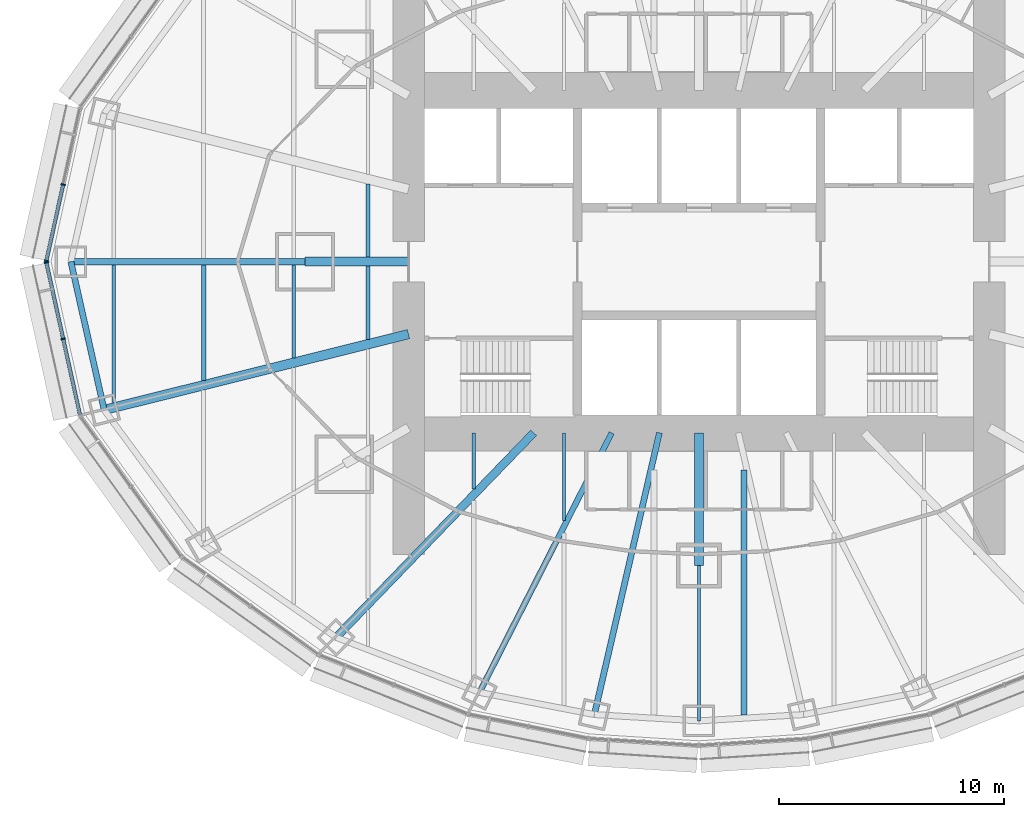
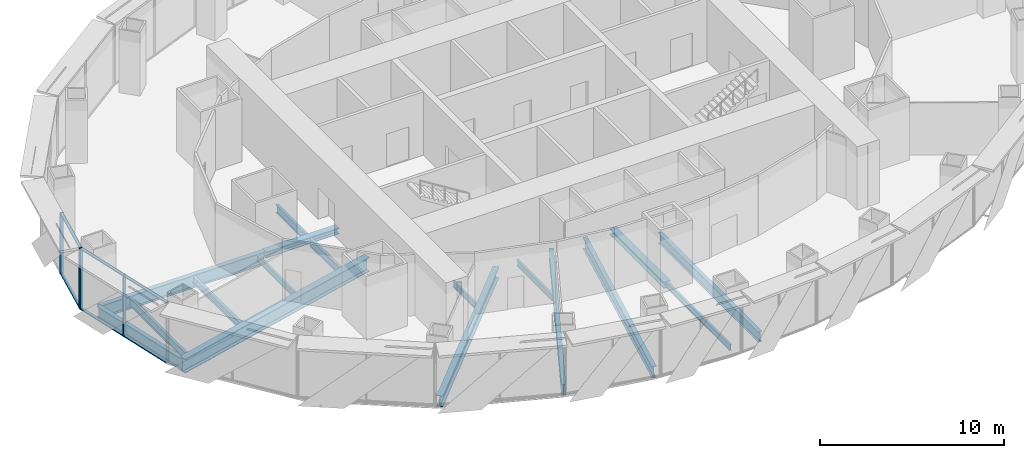
# One storey, part 3 of 17: 17 beams, 10 members, 2 elements without a shape of their own.
"""IFC4 building model written with IfcOpenShell, lengths in metres."""

from ifc_helpers import new_model, si_unit, direction, frame, origin, origin_2d, place, context, subcontext, project, spatial, rectangle, i_section, extrude, material, material_profile, profile_set, type_object, element, aggregate, save


model = new_model("IFC4")

# Units and contexts
model_context = context("Model", 3, precision=1e-05, world=origin(), true_north=direction((0.0, 1.0)))
body_context = subcontext(model_context, "Body", "Model", "MODEL_VIEW")
ifc_project = project(units=[si_unit("LENGTHUNIT", "METRE"), si_unit("AREAUNIT", "SQUARE_METRE"), si_unit("VOLUMEUNIT", "CUBIC_METRE"), si_unit("PLANEANGLEUNIT", "RADIAN"), si_unit("MASSUNIT", "GRAM", prefix="KILO")], contexts=[model_context])

# Site, building, storey
site_placement = place(None, origin())
site = spatial("IfcSite", under=ifc_project, at=site_placement, CompositionType="ELEMENT")
building_placement = place(site_placement, origin())
building = spatial("IfcBuilding", under=site, at=building_placement, Name="Lantaw Convention Tower", CompositionType="ELEMENT")
storey_placement = place(building_placement, frame((0.0, 0.0, 151.0)))
storey = spatial("IfcBuildingStorey", under=building, at=storey_placement, Name="L35", CompositionType="ELEMENT", Elevation=151.0)

# Beams
ifc_material_1 = material(Name="Steel ASTM A992", Category="steel")
ifc_material_profile_1 = material_profile(ifc_material_1, i_section(OverallWidth=0.2666015625, OverallDepth=0.76953125, WebThickness=0.015625, FlangeThickness=0.025390625, FilletRadius=0.0126953125, at=origin_2d()), Name="W30X132")
ifc_profile_set_1 = profile_set([ifc_material_profile_1], Name="Steel ASTM A992")
beam_type_1 = type_object("IfcBeamType", Name="Beam E W30X132", PredefinedType="SPANDREL", material=ifc_profile_set_1)
beam_1_placement = place(storey_placement, frame((-27.89990234375, 0.0, -0.534912109375), z_axis=(0.219211877447, -0.975677279015, 0.0), x_axis=(0.975677279015, 0.219211877447, 0.0)))
element("IfcBeam", 1, at=beam_1_placement, inside=storey, type_object=beam_type_1, Name="Edge beam 13", PredefinedType="SPANDREL", context=body_context, shape_type="SweptSolid", body=[
    extrude(i_section(OverallWidth=0.2666015625, OverallDepth=0.76953125, WebThickness=0.015625, FlangeThickness=0.025390625, FilletRadius=0.0126953125, at=origin_2d()), origin(), (0.0, 0.0, 1.0), 6.75146484375),
])
ifc_material_profile_2 = material_profile(ifc_material_1, i_section(OverallWidth=0.140380859375, OverallDepth=0.40380859375, WebThickness=0.007080078125, FlangeThickness=0.01123046875, FilletRadius=0.01025390625, at=origin_2d()), Name="W16X31")
ifc_profile_set_2 = profile_set([ifc_material_profile_2], Name="Steel ASTM A992")
beam_type_2 = type_object("IfcBeamType", Name="Beam G W16X31", PredefinedType="BEAM", material=ifc_profile_set_2)
beam_2_placement = place(storey_placement, frame((0.0, -13.5, -0.35205078125), z_axis=(0.0, -1.0, 0.0), x_axis=(1.0, 0.0, 0.0)))
element("IfcBeam", 2, at=beam_2_placement, inside=storey, type_object=beam_type_2, Name="Floor girder on ray 19", PredefinedType="BEAM", context=body_context, shape_type="SweptSolid", body=[
    extrude(i_section(OverallWidth=0.140380859375, OverallDepth=0.40380859375, WebThickness=0.007080078125, FlangeThickness=0.01123046875, FilletRadius=0.01025390625, at=origin_2d()), origin(), (0.0, 0.0, 1.0), 6.89990234375),
])
ifc_material_profile_3 = material_profile(ifc_material_1, i_section(OverallWidth=0.25390625, OverallDepth=0.700927734375, WebThickness=0.015380859375, FlangeThickness=0.02783203125, FilletRadius=0.01513671875, at=origin_2d()), Name="W27X129")
ifc_profile_set_3 = profile_set([ifc_material_profile_3], Name="Steel ASTM A992")
beam_type_3 = type_object("IfcBeamType", Name="Beam G W27X129", PredefinedType="BEAM", material=ifc_profile_set_3)
beam_3_placement = place(storey_placement, frame((-3.872314453125, -7.60009765625, -0.50048828125), z_axis=(-0.453991051051, -0.891006243281, 0.0), x_axis=(0.891006243281, -0.453991051051, 0.0)))
element("IfcBeam", 3, at=beam_3_placement, inside=storey, type_object=beam_type_3, Name="Floor girder on ray 17", PredefinedType="BEAM", context=body_context, shape_type="SweptSolid", body=[
    extrude(i_section(OverallWidth=0.25390625, OverallDepth=0.700927734375, WebThickness=0.015380859375, FlangeThickness=0.02783203125, FilletRadius=0.01513671875, at=origin_2d()), origin(), (0.0, 0.0, 1.0), 12.943359375),
])
ifc_material_profile_4 = material_profile(ifc_material_1, i_section(OverallWidth=0.360595703125, OverallDepth=0.72900390625, WebThickness=0.023193359375, FlangeThickness=0.041015625, FilletRadius=0.0126953125, at=origin_2d()), Name="W27X235")
ifc_profile_set_4 = profile_set([ifc_material_profile_4], Name="Steel ASTM A992")
beam_type_4 = type_object("IfcBeamType", Name="Beam G W27X235", PredefinedType="BEAM", material=ifc_profile_set_4)
beam_4_placement = place(storey_placement, frame((-7.33935546875, -7.60009765625, -0.514404296875), z_axis=(-0.694663467407, -0.719334878239, 0.0), x_axis=(0.719334878239, -0.694663467407, 0.0)))
element("IfcBeam", 4, at=beam_4_placement, inside=storey, type_object=beam_type_4, Name="Floor girder on ray 16", PredefinedType="BEAM", context=body_context, shape_type="SweptSolid", body=[
    extrude(i_section(OverallWidth=0.360595703125, OverallDepth=0.72900390625, WebThickness=0.023193359375, FlangeThickness=0.041015625, FilletRadius=0.0126953125, at=origin_2d()), origin(), (0.0, 0.0, 1.0), 12.63671875),
])
ifc_material_profile_5 = material_profile(ifc_material_1, i_section(OverallWidth=0.2666015625, OverallDepth=0.7568359375, WebThickness=0.013916015625, FlangeThickness=0.019287109375, FilletRadius=0.0126953125, at=origin_2d()), Name="W30X108")
ifc_profile_set_5 = profile_set([ifc_material_profile_5], Name="Steel ASTM A992")
beam_type_5 = type_object("IfcBeamType", Name="Beam G W30X108", PredefinedType="BEAM", material=ifc_profile_set_5)
beam_5_placement = place(storey_placement, frame((-1.754638671875, -7.60009765625, -0.528564453125), z_axis=(-0.224944153104, -0.974371658036, 0.0), x_axis=(0.974371658036, -0.224944153104, 0.0)))
element("IfcBeam", 5, at=beam_5_placement, inside=storey, type_object=beam_type_5, Name="Floor girder on ray 18", PredefinedType="BEAM", context=body_context, shape_type="SweptSolid", body=[
    extrude(i_section(OverallWidth=0.2666015625, OverallDepth=0.7568359375, WebThickness=0.013916015625, FlangeThickness=0.019287109375, FilletRadius=0.0126953125, at=origin_2d()), origin(), (0.0, 0.0, 1.0), 12.849365234375),
])
ifc_material_profile_6 = material_profile(ifc_material_1, i_section(OverallWidth=0.2919921875, OverallDepth=0.845703125, WebThickness=0.015380859375, FlangeThickness=0.0244140625, FilletRadius=0.01513671875, at=origin_2d()), Name="W33X141")
ifc_profile_set_6 = profile_set([ifc_material_profile_6], Name="Steel ASTM A992")
beam_type_6 = type_object("IfcBeamType", Name="Beam G W33X141", PredefinedType="BEAM", material=ifc_profile_set_6)
beam_6_placement = place(storey_placement, frame((-17.5, 0.0, -0.572998046875), z_axis=(-1.0, 0.0, 0.0), x_axis=(0.0, -1.0, 0.0)))
element("IfcBeam", 6, at=beam_6_placement, inside=storey, type_object=beam_type_6, Name="Floor girder on ray 13", PredefinedType="BEAM", context=body_context, shape_type="SweptSolid", body=[
    extrude(i_section(OverallWidth=0.2919921875, OverallDepth=0.845703125, WebThickness=0.015380859375, FlangeThickness=0.0244140625, FilletRadius=0.01513671875, at=origin_2d()), origin(), (0.0, 0.0, 1.0), 10.39990234375),
])
ifc_material_profile_7 = material_profile(ifc_material_1, i_section(OverallWidth=0.421630859375, OverallDepth=0.937255859375, WebThickness=0.0224609375, FlangeThickness=0.039794921875, FilletRadius=0.02001953125, at=origin_2d()), Name="W36X282")
ifc_profile_set_7 = profile_set([ifc_material_profile_7], Name="Steel ASTM A992")
beam_type_7 = type_object("IfcBeamType", Name="Beam G W36X282", PredefinedType="BEAM", material=ifc_profile_set_7)
beam_7_placement = place(storey_placement, frame((-12.89990234375, -3.21630859375, -0.61865234375), z_axis=(-0.970296903132, -0.24191717544, 0.0), x_axis=(0.24191717544, -0.970296903132, 0.0)))
element("IfcBeam", 7, at=beam_7_placement, inside=storey, type_object=beam_type_7, Name="Floor girder on ray 14", PredefinedType="BEAM", context=body_context, shape_type="SweptSolid", body=[
    extrude(i_section(OverallWidth=0.421630859375, OverallDepth=0.937255859375, WebThickness=0.0224609375, FlangeThickness=0.039794921875, FilletRadius=0.02001953125, at=origin_2d()), origin(), (0.0, 0.0, 1.0), 13.933837890625),
])
ifc_material_profile_8 = material_profile(ifc_material_1, i_section(OverallWidth=0.40380859375, OverallDepth=0.406494140625, WebThickness=0.027099609375, FlangeThickness=0.043701171875, FilletRadius=0.01513671875, at=origin_2d()), Name="W14X233")
ifc_profile_set_8 = profile_set([ifc_material_profile_8], Name="Steel ASTM A992")
beam_type_8 = type_object("IfcBeamType", Name="Beam GM W14X233", PredefinedType="BEAM", material=ifc_profile_set_8)
beam_8_placement = place(storey_placement, frame((-12.89990234375, 0.0, -0.353271484375), z_axis=(-1.0, 0.0, 0.0), x_axis=(0.0, -1.0, 0.0)))
element("IfcBeam", 8, at=beam_8_placement, inside=storey, type_object=beam_type_8, Name="Core link beam on ray 13", PredefinedType="BEAM", context=body_context, shape_type="SweptSolid", body=[
    extrude(i_section(OverallWidth=0.40380859375, OverallDepth=0.406494140625, WebThickness=0.027099609375, FlangeThickness=0.043701171875, FilletRadius=0.01513671875, at=origin_2d()), origin(), (0.0, 0.0, 1.0), 4.60009765625),
])
beam_9_placement = place(storey_placement, frame((0.0, -7.60009765625, -0.353271484375), z_axis=(0.0, -1.0, 0.0), x_axis=(1.0, 0.0, 0.0)))
element("IfcBeam", 9, at=beam_9_placement, inside=storey, type_object=beam_type_8, Name="Core link beam on ray 19", PredefinedType="BEAM", context=body_context, shape_type="SweptSolid", body=[
    extrude(i_section(OverallWidth=0.40380859375, OverallDepth=0.406494140625, WebThickness=0.027099609375, FlangeThickness=0.043701171875, FilletRadius=0.01513671875, at=origin_2d()), origin(), (0.0, 0.0, 1.0), 5.89990234375),
])
ifc_material_profile_9 = material_profile(ifc_material_1, i_section(OverallWidth=0.140380859375, OverallDepth=0.40380859375, WebThickness=0.007080078125, FlangeThickness=0.01123046875, FilletRadius=0.01025390625, at=origin_2d()), Name="W16X31")
ifc_profile_set_9 = profile_set([ifc_material_profile_9], Name="Steel ASTM A992")
beam_type_9 = type_object("IfcBeamType", Name="Beam J W16X31", PredefinedType="JOIST", material=ifc_profile_set_9)
beam_10_placement = place(storey_placement, frame((-18.0, -4.270751953125, -0.35205078125), z_axis=(0.0, 1.0, 0.0), x_axis=(-1.0, 0.0, 0.0)))
element("IfcBeam", 10, at=beam_10_placement, inside=storey, type_object=beam_type_9, Name="Floor joist", PredefinedType="JOIST", context=body_context, shape_type="SweptSolid", body=[
    extrude(i_section(OverallWidth=0.140380859375, OverallDepth=0.40380859375, WebThickness=0.007080078125, FlangeThickness=0.01123046875, FilletRadius=0.01025390625, at=origin_2d()), origin(), (0.0, 0.0, 1.0), 4.124755859375),
])
beam_11_placement = place(storey_placement, frame((-10.0, -10.095703125, -0.35205078125), z_axis=(0.0, 1.0, 0.0), x_axis=(-1.0, 0.0, 0.0)))
element("IfcBeam", 11, at=beam_11_placement, inside=storey, type_object=beam_type_9, Name="Floor joist", PredefinedType="JOIST", context=body_context, shape_type="SweptSolid", body=[
    extrude(i_section(OverallWidth=0.140380859375, OverallDepth=0.40380859375, WebThickness=0.007080078125, FlangeThickness=0.01123046875, FilletRadius=0.01025390625, at=origin_2d()), origin(), (0.0, 0.0, 1.0), 2.49560546875),
])
beam_12_placement = place(storey_placement, frame((-6.0, -11.495849609375, -0.35205078125), z_axis=(0.0, 1.0, 0.0), x_axis=(-1.0, 0.0, 0.0)))
element("IfcBeam", 12, at=beam_12_placement, inside=storey, type_object=beam_type_9, Name="Floor joist", PredefinedType="JOIST", context=body_context, shape_type="SweptSolid", body=[
    extrude(i_section(OverallWidth=0.140380859375, OverallDepth=0.40380859375, WebThickness=0.007080078125, FlangeThickness=0.01123046875, FilletRadius=0.01025390625, at=origin_2d()), origin(), (0.0, 0.0, 1.0), 3.895751953125),
])
ifc_material_profile_10 = material_profile(ifc_material_1, i_section(OverallWidth=0.1904296875, OverallDepth=0.457275390625, WebThickness=0.009033203125, FlangeThickness=0.014404296875, FilletRadius=0.01025390625, at=origin_2d()), Name="W18X50")
ifc_profile_set_10 = profile_set([ifc_material_profile_10], Name="Steel ASTM A992")
beam_type_10 = type_object("IfcBeamType", Name="Beam J W18X50", PredefinedType="JOIST", material=ifc_profile_set_10)
beam_13_placement = place(storey_placement, frame((-22.0, -5.267822265625, -0.378662109375), z_axis=(0.0, 1.0, 0.0), x_axis=(-1.0, 0.0, 0.0)))
element("IfcBeam", 13, at=beam_13_placement, inside=storey, type_object=beam_type_10, Name="Floor joist", PredefinedType="JOIST", context=body_context, shape_type="SweptSolid", body=[
    extrude(i_section(OverallWidth=0.1904296875, OverallDepth=0.457275390625, WebThickness=0.009033203125, FlangeThickness=0.014404296875, FilletRadius=0.01025390625, at=origin_2d()), origin(), (0.0, 0.0, 1.0), 5.121826171875),
])
ifc_material_profile_11 = material_profile(ifc_material_1, i_section(OverallWidth=0.1650390625, OverallDepth=0.52587890625, WebThickness=0.0087890625, FlangeThickness=0.011474609375, FilletRadius=0.0126953125, at=origin_2d()), Name="W21X44")
ifc_profile_set_11 = profile_set([ifc_material_profile_11], Name="Steel ASTM A992")
beam_type_11 = type_object("IfcBeamType", Name="Beam J W21X44", PredefinedType="JOIST", material=ifc_profile_set_11)
beam_14_placement = place(storey_placement, frame((-26.0, -6.26513671875, -0.412841796875), z_axis=(0.0, 1.0, 0.0), x_axis=(-1.0, 0.0, 0.0)))
element("IfcBeam", 14, at=beam_14_placement, inside=storey, type_object=beam_type_11, Name="Floor joist", PredefinedType="JOIST", context=body_context, shape_type="SweptSolid", body=[
    extrude(i_section(OverallWidth=0.1650390625, OverallDepth=0.52587890625, WebThickness=0.0087890625, FlangeThickness=0.011474609375, FilletRadius=0.0126953125, at=origin_2d()), origin(), (0.0, 0.0, 1.0), 6.119140625),
])
ifc_material_profile_12 = material_profile(ifc_material_1, i_section(OverallWidth=0.165771484375, OverallDepth=0.5283203125, WebThickness=0.009765625, FlangeThickness=0.013671875, FilletRadius=0.012939453125, at=origin_2d()), Name="W21X50")
ifc_profile_set_12 = profile_set([ifc_material_profile_12], Name="Steel ASTM A992")
beam_type_12 = type_object("IfcBeamType", Name="Beam J W21X50", PredefinedType="JOIST", material=ifc_profile_set_12)
for number, where, z_axis, x_axis, name in (
    (15, (-14.699951171875, -3.44775390625, -0.4140625), (0.0, 1.0, 0.0), (-1.0, 0.0, 0.0), "Floor joist"),
    (16, (-14.699951171875, 0.201904296875, -0.4140625), (0.0, 1.0, 0.0), (-1.0, 0.0, 0.0), "Floor joist"),
):
    element("IfcBeam", number, at=place(storey_placement, frame(where, z_axis=z_axis, x_axis=x_axis)), inside=storey, type_object=beam_type_12, Name=name, PredefinedType="JOIST", context=body_context, shape_type="SweptSolid", body=[
        extrude(i_section(OverallWidth=0.165771484375, OverallDepth=0.5283203125, WebThickness=0.009765625, FlangeThickness=0.013671875, FilletRadius=0.012939453125, at=origin_2d()), origin(), (0.0, 0.0, 1.0), 3.245849609375),
    ])
ifc_material_profile_13 = material_profile(ifc_material_1, i_section(OverallWidth=0.25390625, OverallDepth=0.683349609375, WebThickness=0.012451171875, FlangeThickness=0.01904296875, FilletRadius=0.01513671875, at=origin_2d()), Name="W27X94")
ifc_profile_set_13 = profile_set([ifc_material_profile_13], Name="Steel ASTM A992")
beam_type_13 = type_object("IfcBeamType", Name="Beam J W27X94", PredefinedType="JOIST", material=ifc_profile_set_13)
beam_15_placement = place(storey_placement, frame((2.0, -20.145751953125, -0.49169921875), z_axis=(0.0, 1.0, 0.0), x_axis=(-1.0, 0.0, 0.0)))
element("IfcBeam", 17, at=beam_15_placement, inside=storey, type_object=beam_type_13, Name="Floor joist", PredefinedType="JOIST", context=body_context, shape_type="SweptSolid", body=[
    extrude(i_section(OverallWidth=0.25390625, OverallDepth=0.683349609375, WebThickness=0.012451171875, FlangeThickness=0.01904296875, FilletRadius=0.01513671875, at=origin_2d()), origin(), (0.0, 0.0, 1.0), 10.889892578125),
])

# Curtain wall, members
ifc_material_2 = material(Name="Aluminium framed curtain wall", Category="aluminium")
curtain_wall_type = type_object("IfcCurtainWallType", Name="Office curtain wall low rise, pale aluminium", PredefinedType="USERDEFINED", material=ifc_material_2)
curtain_wall_1_placement = place(storey_placement, origin())
curtain_wall_1 = element("IfcCurtainWall", 18, at=curtain_wall_1_placement, inside=storey, type_object=curtain_wall_type, Name="Office curtain wall low rise, pale aluminium L35", ObjectType="UNITISED CURTAIN WALL", PredefinedType="USERDEFINED")
ifc_material_3 = material(Name="Aluminium 6063-T6", Category="aluminium")
ifc_material_profile_14 = material_profile(ifc_material_3, rectangle(XDim=0.199951171875, YDim=0.06494140625, at=origin_2d()), Name="CW-O1 mullion 65x200")
ifc_profile_set_14 = profile_set([ifc_material_profile_14], Name="Aluminium 6063-T6")
member_type_1 = type_object("IfcMemberType", Name="CW-O1 mullion 65x200", PredefinedType="MULLION", material=ifc_profile_set_14)
member_1_placement = place(storey_placement, frame((-28.24365234375, 3.4267578125, 0.0), z_axis=(0.0, 0.0, 1.0), x_axis=(0.9764936509, -0.215546166174, 0.0)))
member_1 = element("IfcMember", 19, at=member_1_placement, type_object=member_type_1, Name="CW-O1 mullion 2", PredefinedType="MULLION", context=body_context, shape_type="SweptSolid", body=[
    extrude(rectangle(XDim=0.199951171875, YDim=0.06494140625, at=origin_2d()), origin(), (0.0, 0.0, 1.0), 4.050048828125),
])
member_2_placement = place(storey_placement, frame((-28.992919921875, 0.03173828125, 0.0), z_axis=(0.0, 0.0, 1.0), x_axis=(0.9764936509, -0.215546166174, 0.0)))
member_2 = element("IfcMember", 20, at=member_2_placement, type_object=member_type_1, Name="CW-O1 mullion 3", PredefinedType="MULLION", context=body_context, shape_type="SweptSolid", body=[
    extrude(rectangle(XDim=0.199951171875, YDim=0.06494140625, at=origin_2d()), origin(), (0.0, 0.0, 1.0), 4.050048828125),
])

curtain_wall_2_placement = place(storey_placement, origin())
curtain_wall_2 = element("IfcCurtainWall", 21, at=curtain_wall_2_placement, inside=storey, type_object=curtain_wall_type, Name="Office curtain wall low rise, pale aluminium L35", ObjectType="UNITISED CURTAIN WALL", PredefinedType="USERDEFINED")
member_3_placement = place(storey_placement, frame((-28.992919921875, -0.03173828125, 0.0), z_axis=(0.0, 0.0, 1.0), x_axis=(0.9764936509, 0.215546166174, 0.0)))
member_3 = element("IfcMember", 22, at=member_3_placement, type_object=member_type_1, Name="CW-O1 mullion 1", PredefinedType="MULLION", context=body_context, shape_type="SweptSolid", body=[
    extrude(rectangle(XDim=0.199951171875, YDim=0.06494140625, at=origin_2d()), origin(), (0.0, 0.0, 1.0), 4.050048828125),
])
member_4_placement = place(storey_placement, frame((-28.24365234375, -3.4267578125, 0.0), z_axis=(0.0, 0.0, 1.0), x_axis=(0.9764936509, 0.215546166174, 0.0)))
member_4 = element("IfcMember", 23, at=member_4_placement, type_object=member_type_1, Name="CW-O1 mullion 2", PredefinedType="MULLION", context=body_context, shape_type="SweptSolid", body=[
    extrude(rectangle(XDim=0.199951171875, YDim=0.06494140625, at=origin_2d()), origin(), (0.0, 0.0, 1.0), 4.050048828125),
])

# Member
ifc_material_profile_15 = material_profile(ifc_material_3, rectangle(XDim=0.159912109375, YDim=0.06494140625, at=origin_2d()), Name="CW-O1 transom 65x160")
ifc_profile_set_15 = profile_set([ifc_material_profile_15], Name="Aluminium 6063-T6")
member_type_2 = type_object("IfcMemberType", Name="CW-O1 transom 65x160", PredefinedType="USERDEFINED", material=ifc_profile_set_15)
member_5_placement = place(storey_placement, frame((-28.250732421875, 3.39501953125, 0.032470703125), z_axis=(-0.215536096386, -0.976495873598, 0.0), x_axis=(0.976495873598, -0.215536096386, 0.0)))
member_5 = element("IfcMember", 24, at=member_5_placement, type_object=member_type_2, Name="CW-O1 transom 2.1", ObjectType="TRANSOM", PredefinedType="USERDEFINED", context=body_context, shape_type="SweptSolid", body=[
    extrude(rectangle(XDim=0.159912109375, YDim=0.06494140625, at=origin_2d()), origin(), (0.0, 0.0, 1.0), 3.41162109375),
])

member_6_placement = place(storey_placement, frame((-28.250732421875, 3.39501953125, 4.017578125), z_axis=(-0.215536096386, -0.976495873598, 0.0), x_axis=(0.976495873598, -0.215536096386, 0.0)))
member_6 = element("IfcMember", 25, at=member_6_placement, type_object=member_type_2, Name="CW-O1 transom 2.2", ObjectType="TRANSOM", PredefinedType="USERDEFINED", context=body_context, shape_type="SweptSolid", body=[
    extrude(rectangle(XDim=0.159912109375, YDim=0.06494140625, at=origin_2d()), origin(), (0.0, 0.0, 1.0), 3.41162109375),
])

aggregate(curtain_wall_1, [member_1, member_2, member_5, member_6])

member_7_placement = place(storey_placement, frame((-28.986083984375, -0.0634765625, 0.032470703125), z_axis=(0.215536096386, -0.976495873598, 0.0), x_axis=(0.976495873598, 0.215536096386, 0.0)))
member_7 = element("IfcMember", 26, at=member_7_placement, type_object=member_type_2, Name="CW-O1 transom 1.1", ObjectType="TRANSOM", PredefinedType="USERDEFINED", context=body_context, shape_type="SweptSolid", body=[
    extrude(rectangle(XDim=0.159912109375, YDim=0.06494140625, at=origin_2d()), origin(), (0.0, 0.0, 1.0), 3.41162109375),
])

member_8_placement = place(storey_placement, frame((-28.986083984375, -0.0634765625, 4.017578125), z_axis=(0.215536096386, -0.976495873598, 0.0), x_axis=(0.976495873598, 0.215536096386, 0.0)))
member_8 = element("IfcMember", 27, at=member_8_placement, type_object=member_type_2, Name="CW-O1 transom 1.2", ObjectType="TRANSOM", PredefinedType="USERDEFINED", context=body_context, shape_type="SweptSolid", body=[
    extrude(rectangle(XDim=0.159912109375, YDim=0.06494140625, at=origin_2d()), origin(), (0.0, 0.0, 1.0), 3.41162109375),
])

member_9_placement = place(storey_placement, frame((-28.236572265625, -3.45849609375, 0.032470703125), z_axis=(0.21555115847, -0.976492548913, 0.0), x_axis=(0.976492548913, 0.21555115847, 0.0)))
member_9 = element("IfcMember", 28, at=member_9_placement, type_object=member_type_2, Name="CW-O1 transom 2.1", ObjectType="TRANSOM", PredefinedType="USERDEFINED", context=body_context, shape_type="SweptSolid", body=[
    extrude(rectangle(XDim=0.159912109375, YDim=0.06494140625, at=origin_2d()), origin(), (0.0, 0.0, 1.0), 3.411376953125),
])

member_10_placement = place(storey_placement, frame((-28.236572265625, -3.45849609375, 4.017578125), z_axis=(0.21555115847, -0.976492548913, 0.0), x_axis=(0.976492548913, 0.21555115847, 0.0)))
member_10 = element("IfcMember", 29, at=member_10_placement, type_object=member_type_2, Name="CW-O1 transom 2.2", ObjectType="TRANSOM", PredefinedType="USERDEFINED", context=body_context, shape_type="SweptSolid", body=[
    extrude(rectangle(XDim=0.159912109375, YDim=0.06494140625, at=origin_2d()), origin(), (0.0, 0.0, 1.0), 3.411376953125),
])

aggregate(curtain_wall_2, [member_3, member_4, member_7, member_8, member_9, member_10])

save(model, "model.ifc")
